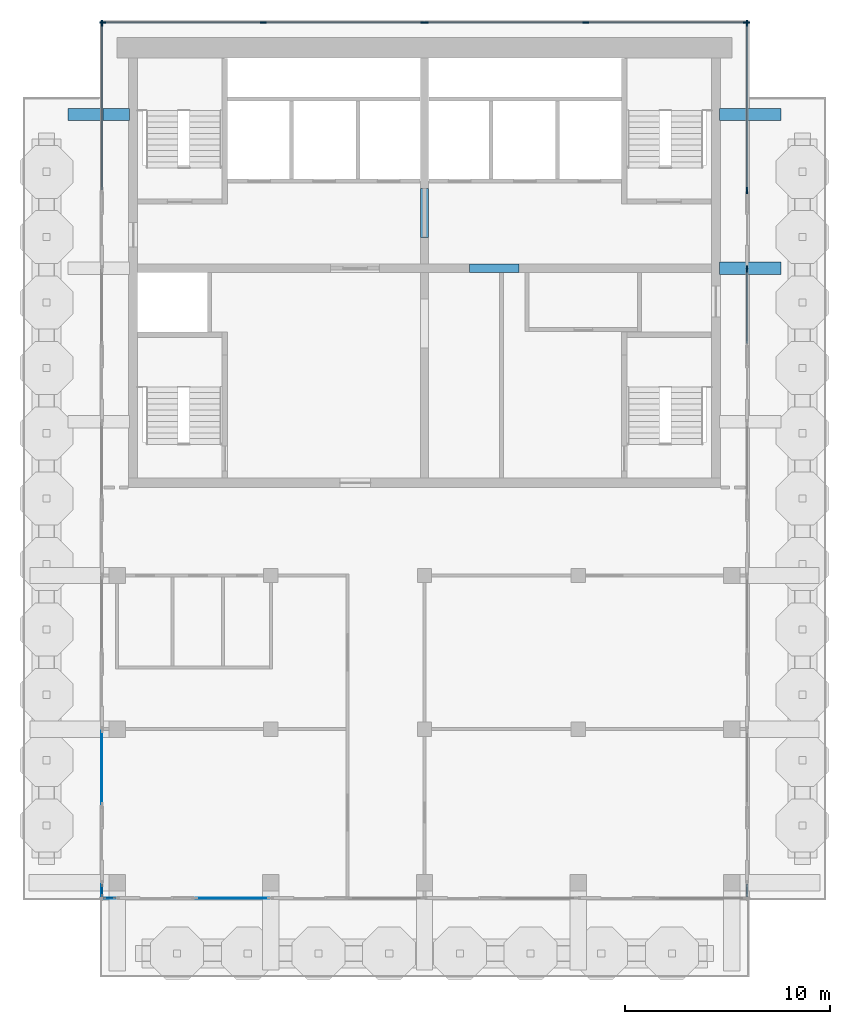
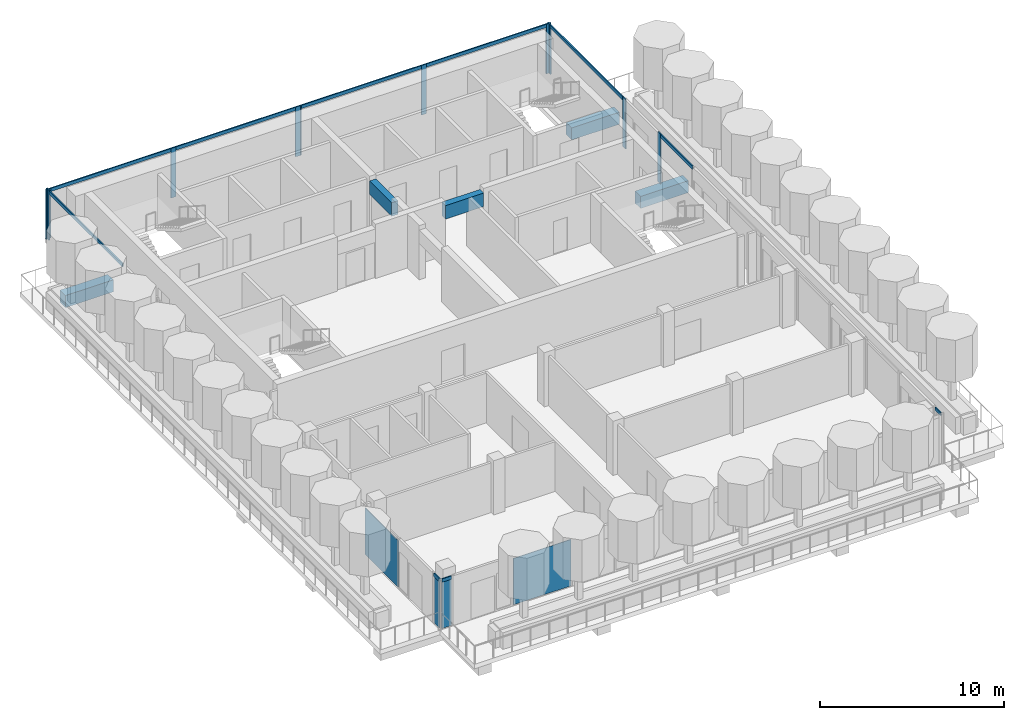
# One storey, part 2 of 10: 20 members, 5 beams, 4 plates, 10 elements without a shape of their own.
"""IFC4 building model written with IfcOpenShell, lengths in metres."""

from ifc_helpers import new_model, si_unit, direction, frame, origin, origin_2d, place, context, subcontext, project, spatial, rectangle, extrude, material, layer, layer_set, material_profile, profile_set, type_object, element, aggregate, save


model = new_model("IFC4")

# Units and contexts
model_context = context("Model", 3, precision=1e-05, world=origin(), true_north=direction((0.0, 1.0)))
body_context = subcontext(model_context, "Body", "Model", "MODEL_VIEW")
ifc_project = project(units=[si_unit("LENGTHUNIT", "METRE"), si_unit("AREAUNIT", "SQUARE_METRE"), si_unit("VOLUMEUNIT", "CUBIC_METRE"), si_unit("PLANEANGLEUNIT", "RADIAN"), si_unit("MASSUNIT", "GRAM", prefix="KILO")], contexts=[model_context])

# Site, building, storey
site_placement = place(None, origin())
site = spatial("IfcSite", under=ifc_project, at=site_placement, CompositionType="ELEMENT")
building_placement = place(site_placement, origin())
building = spatial("IfcBuilding", under=site, at=building_placement, Name="Pilkhan Gate Tower", CompositionType="ELEMENT")
storey_placement = place(building_placement, frame((0.0, 0.0, 272.89990234375)))
storey = spatial("IfcBuildingStorey", under=building, at=storey_placement, Name="L71", CompositionType="ELEMENT", Elevation=272.89990234375)

# Beams
ifc_material_1 = material(Name="Concrete C50/60", Category="concrete")
ifc_material_profile_1 = material_profile(ifc_material_1, rectangle(XDim=0.60009765625, YDim=0.800048828125, at=origin_2d()), Name="RC 600x800")
ifc_profile_set_1 = profile_set([ifc_material_profile_1], Name="Concrete C50/60")
beam_type_1 = type_object("IfcBeamType", Name="Cantilever beam CB1 RC 600x800 C50/60", PredefinedType="BEAM", material=ifc_profile_set_1)
for number, where, z_axis, x_axis, name in (
    (1, (89.39990234375, 82.5, -0.699951171875), (1.0, 0.0, 0.0), (0.0, 1.0, 0.0), "Crown cantilever beam E10 L71"),
    (2, (89.39990234375, 90.0, -0.699951171875), (1.0, 0.0, 0.0), (0.0, 1.0, 0.0), "Crown cantilever beam E11 L71"),
    (3, (60.60009765625, 90.0, -0.699951171875), (-1.0, 0.0, 0.0), (0.0, -1.0, 0.0), "Crown cantilever beam W17 L71"),
):
    element("IfcBeam", number, at=place(storey_placement, frame(where, z_axis=z_axis, x_axis=x_axis)), inside=storey, type_object=beam_type_1, Name=name, PredefinedType="BEAM", context=body_context, shape_type="SweptSolid", body=[
        extrude(rectangle(XDim=0.60009765625, YDim=0.800048828125, at=origin_2d()), origin(), (0.0, 0.0, 1.0), 3.0),
    ])
ifc_material_profile_2 = material_profile(ifc_material_1, rectangle(XDim=0.39990234375, YDim=0.89990234375, at=origin_2d()), Name="RC 400x900")
ifc_profile_set_2 = profile_set([ifc_material_profile_2], Name="Concrete C50/60")
beam_type_2 = type_object("IfcBeamType", Name="Coupling beam CB90-4 RC 400x900 C50/60", PredefinedType="LINTEL", material=ifc_profile_set_2)
beam_1_placement = place(storey_placement, frame((77.199951171875, 82.5, 2.85009765625), z_axis=(1.0, 0.0, 0.0), x_axis=(0.0, 1.0, 0.0)))
element("IfcBeam", 4, at=beam_1_placement, inside=storey, type_object=beam_type_2, Name="Coupling beam 2 L71", PredefinedType="LINTEL", context=body_context, shape_type="SweptSolid", body=[
    extrude(rectangle(XDim=0.39990234375, YDim=0.89990234375, at=origin_2d()), origin(), (0.0, 0.0, 1.0), 2.400146484375),
])
beam_2_placement = place(storey_placement, frame((75.0, 84.0, 2.85009765625), z_axis=(0.0, 1.0, 0.0), x_axis=(-1.0, 0.0, 0.0)))
element("IfcBeam", 5, at=beam_2_placement, inside=storey, type_object=beam_type_2, Name="Coupling beam 4 L71", PredefinedType="LINTEL", context=body_context, shape_type="SweptSolid", body=[
    extrude(rectangle(XDim=0.39990234375, YDim=0.89990234375, at=origin_2d()), origin(), (0.0, 0.0, 1.0), 2.39990234375),
])

# Curtain wall, member
ifc_material_2 = material(Name="Pale anodised aluminium, clear low-iron double glazing", Category="aluminium")
curtain_wall_type = type_object("IfcCurtainWallType", Name="Crown unitised curtain wall CW-C", PredefinedType="USERDEFINED", material=ifc_material_2)
curtain_wall_1_placement = place(storey_placement, origin())
curtain_wall_1 = element("IfcCurtainWall", 6, at=curtain_wall_1_placement, inside=storey, type_object=curtain_wall_type, Name="Crown unitised curtain wall CW-C L71 E", ObjectType="UNITISED CURTAIN WALL", PredefinedType="USERDEFINED")
ifc_material_3 = material(Name="Pale anodised aluminium", Category="aluminium")
ifc_material_profile_3 = material_profile(ifc_material_3, rectangle(XDim=0.074951171875, YDim=0.300048828125, at=origin_2d()), Name="Mullion 300x75")
ifc_profile_set_3 = profile_set([ifc_material_profile_3], Name="Pale anodised aluminium")
member_type_1 = type_object("IfcMemberType", Name="Mullion CW-C 300x75", PredefinedType="MULLION", material=ifc_profile_set_3)
member_1_placement = place(storey_placement, frame((90.75, 82.46240234375, 0.0), z_axis=(0.0, 0.0, 1.0), x_axis=(-1.0, 0.0, 0.0)))
member_1 = element("IfcMember", 7, at=member_1_placement, type_object=member_type_1, Name="CW-C mullion 2", PredefinedType="MULLION", context=body_context, shape_type="SweptSolid", body=[
    extrude(rectangle(XDim=0.074951171875, YDim=0.300048828125, at=origin_2d()), origin(), (0.0, 0.0, 1.0), 3.300048828125),
])

# Curtain wall, members
curtain_wall_2_placement = place(storey_placement, origin())
curtain_wall_2 = element("IfcCurtainWall", 8, at=curtain_wall_2_placement, inside=storey, type_object=curtain_wall_type, Name="Crown unitised curtain wall CW-C L71 E", ObjectType="UNITISED CURTAIN WALL", PredefinedType="USERDEFINED")
member_2_placement = place(storey_placement, frame((90.75, 86.28759765625, 0.0), z_axis=(0.0, 0.0, 1.0), x_axis=(-1.0, 0.0, 0.0)))
member_2 = element("IfcMember", 9, at=member_2_placement, type_object=member_type_1, Name="CW-C mullion 1", PredefinedType="MULLION", context=body_context, shape_type="SweptSolid", body=[
    extrude(rectangle(XDim=0.074951171875, YDim=0.300048828125, at=origin_2d()), origin(), (0.0, 0.0, 1.0), 3.300048828125),
])
member_3_placement = place(storey_placement, frame((90.75, 94.46240234375, 0.0), z_axis=(0.0, 0.0, 1.0), x_axis=(-1.0, 0.0, 0.0)))
member_3 = element("IfcMember", 10, at=member_3_placement, type_object=member_type_1, Name="CW-C mullion 2", PredefinedType="MULLION", context=body_context, shape_type="SweptSolid", body=[
    extrude(rectangle(XDim=0.074951171875, YDim=0.300048828125, at=origin_2d()), origin(), (0.0, 0.0, 1.0), 3.300048828125),
])

curtain_wall_3_placement = place(storey_placement, origin())
curtain_wall_3 = element("IfcCurtainWall", 11, at=curtain_wall_3_placement, inside=storey, type_object=curtain_wall_type, Name="Crown unitised curtain wall CW-C L71 N", ObjectType="UNITISED CURTAIN WALL", PredefinedType="USERDEFINED")
member_4_placement = place(storey_placement, frame((59.28759765625, 94.5, 0.0), z_axis=(0.0, 0.0, 1.0), x_axis=(0.0, 1.0, 0.0)))
member_4 = element("IfcMember", 12, at=member_4_placement, type_object=member_type_1, Name="CW-C mullion 1", PredefinedType="MULLION", context=body_context, shape_type="SweptSolid", body=[
    extrude(rectangle(XDim=0.074951171875, YDim=0.300048828125, at=origin_2d()), origin(), (0.0, 0.0, 1.0), 3.300048828125),
])
member_5_placement = place(storey_placement, frame((67.125, 94.5, 0.0), z_axis=(0.0, 0.0, 1.0), x_axis=(0.0, 1.0, 0.0)))
member_5 = element("IfcMember", 13, at=member_5_placement, type_object=member_type_1, Name="CW-C mullion 2", PredefinedType="MULLION", context=body_context, shape_type="SweptSolid", body=[
    extrude(rectangle(XDim=0.074951171875, YDim=0.300048828125, at=origin_2d()), origin(), (0.0, 0.0, 1.0), 3.300048828125),
])
member_6_placement = place(storey_placement, frame((74.96240234375, 94.5, 0.0), z_axis=(0.0, 0.0, 1.0), x_axis=(0.0, 1.0, 0.0)))
member_6 = element("IfcMember", 14, at=member_6_placement, type_object=member_type_1, Name="CW-C mullion 3", PredefinedType="MULLION", context=body_context, shape_type="SweptSolid", body=[
    extrude(rectangle(XDim=0.074951171875, YDim=0.300048828125, at=origin_2d()), origin(), (0.0, 0.0, 1.0), 3.300048828125),
])

curtain_wall_4_placement = place(storey_placement, origin())
curtain_wall_4 = element("IfcCurtainWall", 15, at=curtain_wall_4_placement, inside=storey, type_object=curtain_wall_type, Name="Crown unitised curtain wall CW-C L71 N", ObjectType="UNITISED CURTAIN WALL", PredefinedType="USERDEFINED")
member_7_placement = place(storey_placement, frame((75.03759765625, 94.5, 0.0), z_axis=(0.0, 0.0, 1.0), x_axis=(0.0, 1.0, 0.0)))
member_7 = element("IfcMember", 16, at=member_7_placement, type_object=member_type_1, Name="CW-C mullion 1", PredefinedType="MULLION", context=body_context, shape_type="SweptSolid", body=[
    extrude(rectangle(XDim=0.074951171875, YDim=0.300048828125, at=origin_2d()), origin(), (0.0, 0.0, 1.0), 3.300048828125),
])
member_8_placement = place(storey_placement, frame((82.875, 94.5, 0.0), z_axis=(0.0, 0.0, 1.0), x_axis=(0.0, 1.0, 0.0)))
member_8 = element("IfcMember", 17, at=member_8_placement, type_object=member_type_1, Name="CW-C mullion 2", PredefinedType="MULLION", context=body_context, shape_type="SweptSolid", body=[
    extrude(rectangle(XDim=0.074951171875, YDim=0.300048828125, at=origin_2d()), origin(), (0.0, 0.0, 1.0), 3.300048828125),
])
member_9_placement = place(storey_placement, frame((90.71240234375, 94.5, 0.0), z_axis=(0.0, 0.0, 1.0), x_axis=(0.0, 1.0, 0.0)))
member_9 = element("IfcMember", 18, at=member_9_placement, type_object=member_type_1, Name="CW-C mullion 3", PredefinedType="MULLION", context=body_context, shape_type="SweptSolid", body=[
    extrude(rectangle(XDim=0.074951171875, YDim=0.300048828125, at=origin_2d()), origin(), (0.0, 0.0, 1.0), 3.300048828125),
])

# Curtain wall, member
curtain_wall_5_placement = place(storey_placement, origin())
curtain_wall_5 = element("IfcCurtainWall", 19, at=curtain_wall_5_placement, inside=storey, type_object=curtain_wall_type, Name="Crown unitised curtain wall CW-C L71 W", ObjectType="UNITISED CURTAIN WALL", PredefinedType="USERDEFINED")
member_10_placement = place(storey_placement, frame((59.25, 94.46240234375, 0.0), z_axis=(0.0, 0.0, 1.0), x_axis=(-1.0, 0.0, 0.0)))
member_10 = element("IfcMember", 20, at=member_10_placement, type_object=member_type_1, Name="CW-C mullion 2", PredefinedType="MULLION", context=body_context, shape_type="SweptSolid", body=[
    extrude(rectangle(XDim=0.074951171875, YDim=0.300048828125, at=origin_2d()), origin(), (0.0, 0.0, 1.0), 3.300048828125),
])

curtain_wall_6_placement = place(storey_placement, origin())
curtain_wall_6 = element("IfcCurtainWall", 21, at=curtain_wall_6_placement, inside=storey, type_object=curtain_wall_type, Name="Crown unitised curtain wall CW-C L71 E", ObjectType="UNITISED CURTAIN WALL", PredefinedType="USERDEFINED")
ifc_material_profile_4 = material_profile(ifc_material_3, rectangle(XDim=0.074951171875, YDim=0.219970703125, at=origin_2d()), Name="Transom 220x75")
ifc_profile_set_4 = profile_set([ifc_material_profile_4], Name="Pale anodised aluminium")
member_type_2 = type_object("IfcMemberType", Name="Transom CW-C 220x75", PredefinedType="USERDEFINED", material=ifc_profile_set_4)
member_11_placement = place(storey_placement, frame((90.75, 51.824951171875, 3.190185546875), z_axis=(0.0, 1.0, 0.0), x_axis=(-1.0, 0.0, 0.0)))
member_11 = element("IfcMember", 22, at=member_11_placement, type_object=member_type_2, Name="CW-C transom 1", ObjectType="TRANSOM", PredefinedType="USERDEFINED", context=body_context, shape_type="SweptSolid", body=[
    extrude(rectangle(XDim=0.074951171875, YDim=0.219970703125, at=origin_2d()), origin(), (0.0, 0.0, 1.0), 0.60009765625),
])
aggregate(curtain_wall_6, [member_11])

# Member
member_12_placement = place(storey_placement, frame((90.75, 78.824951171875, 3.190185546875), z_axis=(0.0, 1.0, 0.0), x_axis=(-1.0, 0.0, 0.0)))
member_12 = element("IfcMember", 23, at=member_12_placement, type_object=member_type_2, Name="CW-C transom 1", ObjectType="TRANSOM", PredefinedType="USERDEFINED", context=body_context, shape_type="SweptSolid", body=[
    extrude(rectangle(XDim=0.074951171875, YDim=0.219970703125, at=origin_2d()), origin(), (0.0, 0.0, 1.0), 3.60009765625),
])

aggregate(curtain_wall_1, [member_1, member_12])

member_13_placement = place(storey_placement, frame((90.75, 86.324951171875, 3.190185546875), z_axis=(0.0, 1.0, 0.0), x_axis=(-1.0, 0.0, 0.0)))
member_13 = element("IfcMember", 24, at=member_13_placement, type_object=member_type_2, Name="CW-C transom 1", ObjectType="TRANSOM", PredefinedType="USERDEFINED", context=body_context, shape_type="SweptSolid", body=[
    extrude(rectangle(XDim=0.074951171875, YDim=0.219970703125, at=origin_2d()), origin(), (0.0, 0.0, 1.0), 8.10009765625),
])

aggregate(curtain_wall_2, [member_2, member_3, member_13])

member_14_placement = place(storey_placement, frame((59.324951171875, 94.5, 3.190185546875), z_axis=(1.0, 0.0, 0.0), x_axis=(0.0, 1.0, 0.0)))
member_14 = element("IfcMember", 25, at=member_14_placement, type_object=member_type_2, Name="CW-C transom 1", ObjectType="TRANSOM", PredefinedType="USERDEFINED", context=body_context, shape_type="SweptSolid", body=[
    extrude(rectangle(XDim=0.074951171875, YDim=0.219970703125, at=origin_2d()), origin(), (0.0, 0.0, 1.0), 7.762451171875),
])

member_15_placement = place(storey_placement, frame((67.16259765625, 94.5, 3.190185546875), z_axis=(1.0, 0.0, 0.0), x_axis=(0.0, 1.0, 0.0)))
member_15 = element("IfcMember", 26, at=member_15_placement, type_object=member_type_2, Name="CW-C transom 2", ObjectType="TRANSOM", PredefinedType="USERDEFINED", context=body_context, shape_type="SweptSolid", body=[
    extrude(rectangle(XDim=0.074951171875, YDim=0.219970703125, at=origin_2d()), origin(), (0.0, 0.0, 1.0), 7.762451171875),
])

aggregate(curtain_wall_3, [member_4, member_5, member_6, member_14, member_15])

member_16_placement = place(storey_placement, frame((75.074951171875, 94.5, 3.190185546875), z_axis=(1.0, 0.0, 0.0), x_axis=(0.0, 1.0, 0.0)))
member_16 = element("IfcMember", 27, at=member_16_placement, type_object=member_type_2, Name="CW-C transom 1", ObjectType="TRANSOM", PredefinedType="USERDEFINED", context=body_context, shape_type="SweptSolid", body=[
    extrude(rectangle(XDim=0.074951171875, YDim=0.219970703125, at=origin_2d()), origin(), (0.0, 0.0, 1.0), 7.762451171875),
])

member_17_placement = place(storey_placement, frame((82.91259765625, 94.5, 3.190185546875), z_axis=(1.0, 0.0, 0.0), x_axis=(0.0, 1.0, 0.0)))
member_17 = element("IfcMember", 28, at=member_17_placement, type_object=member_type_2, Name="CW-C transom 2", ObjectType="TRANSOM", PredefinedType="USERDEFINED", context=body_context, shape_type="SweptSolid", body=[
    extrude(rectangle(XDim=0.074951171875, YDim=0.219970703125, at=origin_2d()), origin(), (0.0, 0.0, 1.0), 7.762451171875),
])

aggregate(curtain_wall_4, [member_7, member_8, member_9, member_16, member_17])

# Curtain wall, member
curtain_wall_7_placement = place(storey_placement, origin())
curtain_wall_7 = element("IfcCurtainWall", 29, at=curtain_wall_7_placement, inside=storey, type_object=curtain_wall_type, Name="Crown unitised curtain wall CW-C L71 W", ObjectType="UNITISED CURTAIN WALL", PredefinedType="USERDEFINED")
member_18_placement = place(storey_placement, frame((59.25, 51.824951171875, 3.190185546875), z_axis=(0.0, 1.0, 0.0), x_axis=(-1.0, 0.0, 0.0)))
member_18 = element("IfcMember", 30, at=member_18_placement, type_object=member_type_2, Name="CW-C transom 1", ObjectType="TRANSOM", PredefinedType="USERDEFINED", context=body_context, shape_type="SweptSolid", body=[
    extrude(rectangle(XDim=0.074951171875, YDim=0.219970703125, at=origin_2d()), origin(), (0.0, 0.0, 1.0), 0.60009765625),
])

# Member
member_19_placement = place(storey_placement, frame((59.25, 86.324951171875, 3.190185546875), z_axis=(0.0, 1.0, 0.0), x_axis=(-1.0, 0.0, 0.0)))
member_19 = element("IfcMember", 31, at=member_19_placement, type_object=member_type_2, Name="CW-C transom 1", ObjectType="TRANSOM", PredefinedType="USERDEFINED", context=body_context, shape_type="SweptSolid", body=[
    extrude(rectangle(XDim=0.074951171875, YDim=0.219970703125, at=origin_2d()), origin(), (0.0, 0.0, 1.0), 8.10009765625),
])

aggregate(curtain_wall_5, [member_10, member_19])

# Curtain wall, member
curtain_wall_8_placement = place(storey_placement, origin())
curtain_wall_8 = element("IfcCurtainWall", 32, at=curtain_wall_8_placement, inside=storey, type_object=curtain_wall_type, Name="Crown unitised curtain wall CW-C L71 S", ObjectType="UNITISED CURTAIN WALL", PredefinedType="USERDEFINED")
member_20_placement = place(storey_placement, frame((59.324951171875, 51.75, 3.190185546875), z_axis=(1.0, 0.0, 0.0), x_axis=(0.0, 1.0, 0.0)))
member_20 = element("IfcMember", 33, at=member_20_placement, type_object=member_type_2, Name="CW-C transom 1", ObjectType="TRANSOM", PredefinedType="USERDEFINED", context=body_context, shape_type="SweptSolid", body=[
    extrude(rectangle(XDim=0.074951171875, YDim=0.219970703125, at=origin_2d()), origin(), (0.0, 0.0, 1.0), 0.60009765625),
])

# Plate
ifc_material_4 = material(Name="Clear low-iron double glazing", Category="glass")
ifc_layer = layer(ifc_material_4, 0.0439453125)
ifc_layer_set = layer_set([ifc_layer], Name="Glass panel CW-C 44")
plate_type = type_object("IfcPlateType", Name="Glass panel CW-C 44", PredefinedType="CURTAIN_PANEL", material=ifc_layer_set)
plate_1_placement = place(storey_placement, frame((59.25, 52.125, 0.0), z_axis=(0.0, 0.0, 1.0), x_axis=(0.0, 1.0, 0.0)))
plate_1 = element("IfcPlate", 34, at=plate_1_placement, type_object=plate_type, Name="CW-C panel 1", PredefinedType="CURTAIN_PANEL", context=body_context, shape_type="SweptSolid", body=[
    extrude(rectangle(XDim=0.60009765625, YDim=0.0439453125, at=origin_2d()), origin(), (0.0, 0.0, 1.0), 3.080078125),
])

aggregate(curtain_wall_7, [member_18, plate_1])

# Curtain wall, plate
curtain_wall_9_placement = place(storey_placement, origin())
curtain_wall_9 = element("IfcCurtainWall", 35, at=curtain_wall_9_placement, inside=storey, type_object=curtain_wall_type, Name="Crown unitised curtain wall CW-C L71 W", ObjectType="UNITISED CURTAIN WALL", PredefinedType="USERDEFINED")
plate_2_placement = place(storey_placement, frame((59.25, 58.125, 0.0), z_axis=(0.0, 0.0, 1.0), x_axis=(0.0, 1.0, 0.0)))
plate_2 = element("IfcPlate", 36, at=plate_2_placement, type_object=plate_type, Name="CW-C panel 1", PredefinedType="CURTAIN_PANEL", context=body_context, shape_type="SweptSolid", body=[
    extrude(rectangle(XDim=3.60009765625, YDim=0.0439453125, at=origin_2d()), origin(), (0.0, 0.0, 1.0), 3.080078125),
])
aggregate(curtain_wall_9, [plate_2])

# Plate
plate_3_placement = place(storey_placement, frame((59.625, 51.75, 0.0), z_axis=(0.0, 0.0, 1.0), x_axis=(1.0, 0.0, 0.0)))
plate_3 = element("IfcPlate", 37, at=plate_3_placement, type_object=plate_type, Name="CW-C panel 1", PredefinedType="CURTAIN_PANEL", context=body_context, shape_type="SweptSolid", body=[
    extrude(rectangle(XDim=0.60009765625, YDim=0.0439453125, at=origin_2d()), origin(), (0.0, 0.0, 1.0), 3.080078125),
])

aggregate(curtain_wall_8, [member_20, plate_3])

# Curtain wall, plate
curtain_wall_10_placement = place(storey_placement, origin())
curtain_wall_10 = element("IfcCurtainWall", 38, at=curtain_wall_10_placement, inside=storey, type_object=curtain_wall_type, Name="Crown unitised curtain wall CW-C L71 S", ObjectType="UNITISED CURTAIN WALL", PredefinedType="USERDEFINED")
plate_4_placement = place(storey_placement, frame((65.625, 51.75, 0.0), z_axis=(0.0, 0.0, 1.0), x_axis=(1.0, 0.0, 0.0)))
plate_4 = element("IfcPlate", 39, at=plate_4_placement, type_object=plate_type, Name="CW-C panel 1", PredefinedType="CURTAIN_PANEL", context=body_context, shape_type="SweptSolid", body=[
    extrude(rectangle(XDim=3.60009765625, YDim=0.0439453125, at=origin_2d()), origin(), (0.0, 0.0, 1.0), 3.080078125),
])
aggregate(curtain_wall_10, [plate_4])

save(model, "model.ifc")
